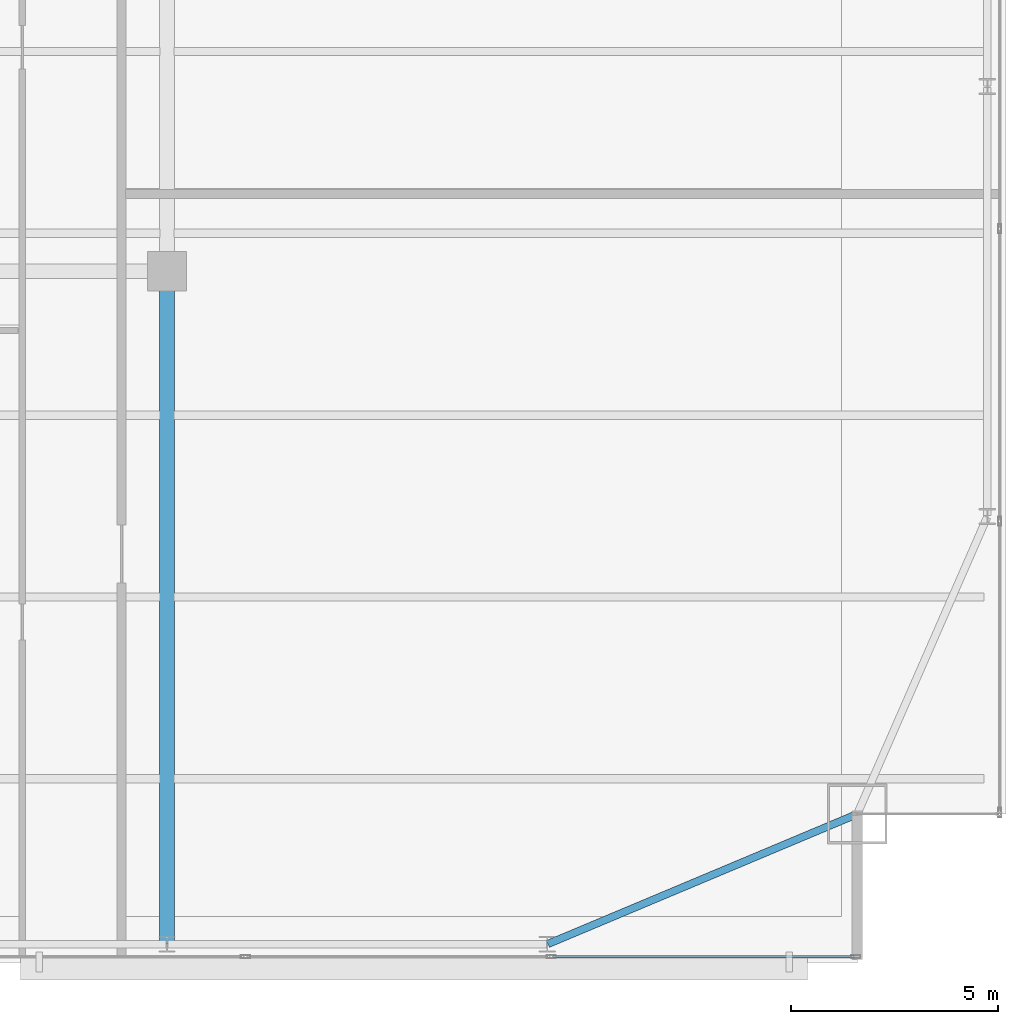
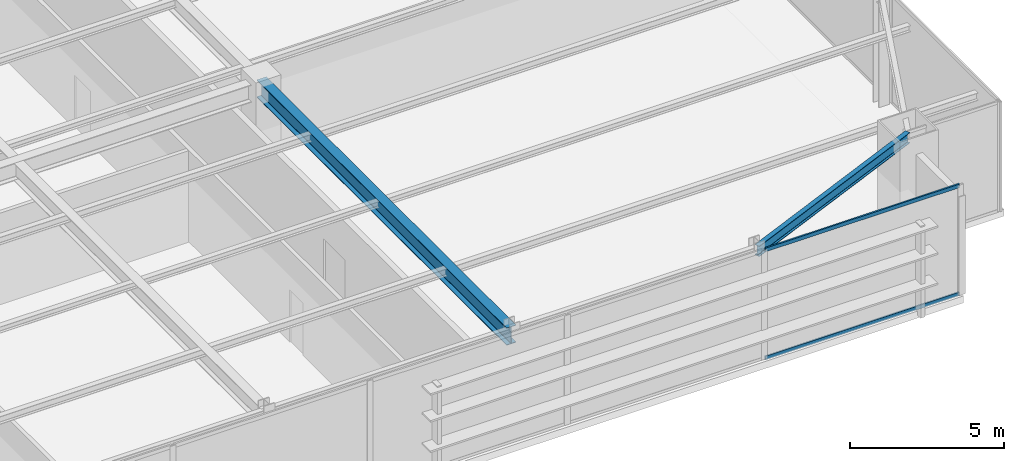
# One storey, part 16 of 32: 2 beams, 2 members, 1 element without a shape of its own.
"""IFC4 building model written with IfcOpenShell, lengths in metres."""

from ifc_helpers import new_model, si_unit, direction, frame, origin, origin_2d, place, context, subcontext, project, spatial, hollow_rectangle, i_section, extrude, source, transform, mapped, material, layer, layer_set, material_profile, profile_set, type_object, type_shapes, element, aggregate, save


model = new_model("IFC4")

# Units and contexts
model_context = context("Model", 3, precision=1e-05, world=origin(), true_north=direction((0.0, 1.0)))
body_context = subcontext(model_context, "Body", "Model", "MODEL_VIEW")
ifc_project = project(units=[si_unit("LENGTHUNIT", "METRE"), si_unit("AREAUNIT", "SQUARE_METRE"), si_unit("VOLUMEUNIT", "CUBIC_METRE"), si_unit("PLANEANGLEUNIT", "RADIAN"), si_unit("MASSUNIT", "GRAM", prefix="KILO")], contexts=[model_context])

# Site, building, storey
site_placement = place(None, origin())
site = spatial("IfcSite", under=ifc_project, at=site_placement, CompositionType="ELEMENT")
building_placement = place(site_placement, origin())
building = spatial("IfcBuilding", under=site, at=building_placement, Name="Varnel Quay Broadcast Tower", CompositionType="ELEMENT")
storey_placement = place(building_placement, frame((0.0, 0.0, 98.39990234375)))
storey = spatial("IfcBuildingStorey", under=building, at=storey_placement, Name="L23", CompositionType="ELEMENT", Elevation=98.39990234375)

# Beams
ifc_material_1 = material(Name="Structural Steel CSA G40.21 350W", Category="steel")
ifc_material_profile_1 = material_profile(ifc_material_1, i_section(OverallWidth=0.180908203125, OverallDepth=0.4169921875, WebThickness=0.010986328125, FlangeThickness=0.018310546875, FilletRadius=0.011962890625, at=origin_2d()), Name="W410X85")
ifc_profile_set_1 = profile_set([ifc_material_profile_1], Name="Structural Steel CSA G40.21 350W")
beam_type_1 = type_object("IfcBeamType", Name="Beam_W410X85", PredefinedType="SPANDREL", material=ifc_profile_set_1)
shared_shape_1 = source(origin(), body_context, "Body", "SweptSolid", [
    extrude(i_section(OverallWidth=0.180908203125, OverallDepth=0.4169921875, WebThickness=0.010986328125, FlangeThickness=0.018310546875, FilletRadius=0.011962890625, at=origin_2d()), origin(), (0.0, 0.0, 1.0), 8.0947265625),
])
type_shapes(beam_type_1, [shared_shape_1])
beam_1_placement = place(storey_placement, frame((52.41845703125, 4.65771484375, 4.1416015625), z_axis=(0.921981890247, 0.387232997117, 0.0), x_axis=(-0.387232997117, 0.921981890247, 0.0)))
element("IfcBeam", 1, at=beam_1_placement, inside=storey, type_object=beam_type_1, Name="L23 South Spandrel TC-S5-MC-SE", PredefinedType="SPANDREL", context=body_context, shape_type="MappedRepresentation", body=[
    mapped(shared_shape_1, transform((0.0, 0.0, 0.0), x_axis=(1.0, 0.0, 0.0), y_axis=(0.0, 1.0, 0.0), z_axis=(0.0, 0.0, 1.0), scale=1.0)),
])
ifc_material_profile_2 = material_profile(ifc_material_1, i_section(OverallWidth=0.35498046875, OverallDepth=0.695068359375, WebThickness=0.015380859375, FlangeThickness=0.02490234375, FilletRadius=0.01806640625, at=origin_2d()), Name="W690X217")
ifc_profile_set_2 = profile_set([ifc_material_profile_2], Name="Structural Steel CSA G40.21 350W")
beam_type_2 = type_object("IfcBeamType", Name="Girder_W690X217", PredefinedType="BEAM", material=ifc_profile_set_2)
shared_shape_2 = source(origin(), body_context, "Body", "SweptSolid", [
    extrude(i_section(OverallWidth=0.35498046875, OverallDepth=0.695068359375, WebThickness=0.015380859375, FlangeThickness=0.02490234375, FilletRadius=0.01806640625, at=origin_2d()), origin(), (0.0, 0.0, 1.0), 16.239990234375),
])
type_shapes(beam_type_2, [shared_shape_2])
beam_2_placement = place(storey_placement, frame((43.199951171875, 4.669921875, 4.002685546875), z_axis=(0.0, 1.0, 0.0), x_axis=(-1.0, 0.0, 0.0)))
element("IfcBeam", 2, at=beam_2_placement, inside=storey, type_object=beam_type_2, Name="L23 Primary Girder TC-S4-IC-02", PredefinedType="BEAM", context=body_context, shape_type="MappedRepresentation", body=[
    mapped(shared_shape_2, transform((0.0, 0.0, 0.0), x_axis=(1.0, 0.0, 0.0), y_axis=(0.0, 1.0, 0.0), z_axis=(0.0, 0.0, 1.0), scale=1.0)),
])

# Curtain wall, members
ifc_material_2 = material(Name="Anodised Bronze Aluminium 6063-T6", Category="aluminium")
ifc_layer = layer(ifc_material_2, 0.18994140625, Name="Anodised Bronze Aluminium 6063-T6")
ifc_layer_set = layer_set([ifc_layer], Name="Anodised Bronze Aluminium 6063-T6")
curtain_wall_type = type_object("IfcCurtainWallType", Name="CW_SkyObsHighVis", PredefinedType="NOTDEFINED", material=ifc_layer_set)
curtain_wall_placement = place(storey_placement, origin())
curtain_wall = element("IfcCurtainWall", 3, at=curtain_wall_placement, inside=storey, type_object=curtain_wall_type, Name="L23 South Unitised Curtain Wall 1", PredefinedType="NOTDEFINED")
ifc_material_profile_3 = material_profile(ifc_material_2, hollow_rectangle(XDim=0.06005859375, YDim=0.14501953125, WallThickness=0.00341796875, at=origin_2d()), Name="ALU60X145X3.5")
ifc_profile_set_3 = profile_set([ifc_material_profile_3], Name="Anodised Bronze Aluminium 6063-T6")
member_type = type_object("IfcMemberType", Name="Tran_CWS-05", PredefinedType="USERDEFINED", material=ifc_profile_set_3)
shared_shape_3 = source(origin(), body_context, "Body", "SweptSolid", [
    extrude(hollow_rectangle(XDim=0.06005859375, YDim=0.14501953125, WallThickness=0.00341796875, at=origin_2d()), origin(), (0.0, 0.0, 1.0), 7.287353515625),
])
type_shapes(member_type, [shared_shape_3])
member_1_placement = place(storey_placement, frame((52.53759765625, 4.35009765625, 0.030029296875), z_axis=(1.0, 0.0, 0.0), x_axis=(0.0, 1.0, 0.0)))
member_1 = element("IfcMember", 4, at=member_1_placement, type_object=member_type, Name="CWS-05 transom 7.1", ObjectType="TRANSOM", PredefinedType="USERDEFINED", context=body_context, shape_type="MappedRepresentation", body=[
    mapped(shared_shape_3, transform((0.0, 0.0, 0.0), x_axis=(1.0, 0.0, 0.0), y_axis=(0.0, 1.0, 0.0), z_axis=(0.0, 0.0, 1.0), scale=1.0)),
])
member_2_placement = place(storey_placement, frame((52.53759765625, 4.35009765625, 4.320068359375), z_axis=(1.0, 0.0, 0.0), x_axis=(0.0, 1.0, 0.0)))
member_2 = element("IfcMember", 5, at=member_2_placement, type_object=member_type, Name="CWS-05 transom 7.2", ObjectType="TRANSOM", PredefinedType="USERDEFINED", context=body_context, shape_type="MappedRepresentation", body=[
    mapped(shared_shape_3, transform((0.0, 0.0, 0.0), x_axis=(1.0, 0.0, 0.0), y_axis=(0.0, 1.0, 0.0), z_axis=(0.0, 0.0, 1.0), scale=1.0)),
])
aggregate(curtain_wall, [member_1, member_2])

save(model, "model.ifc")
